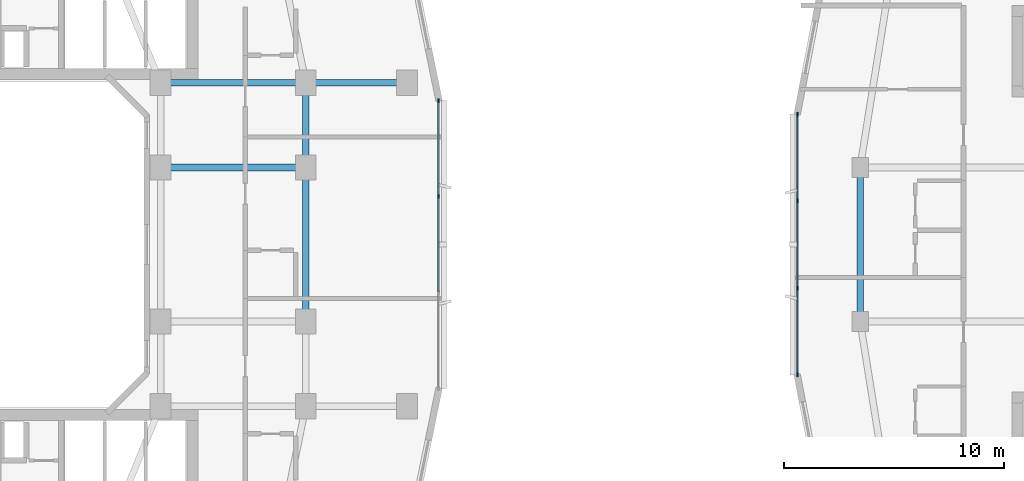
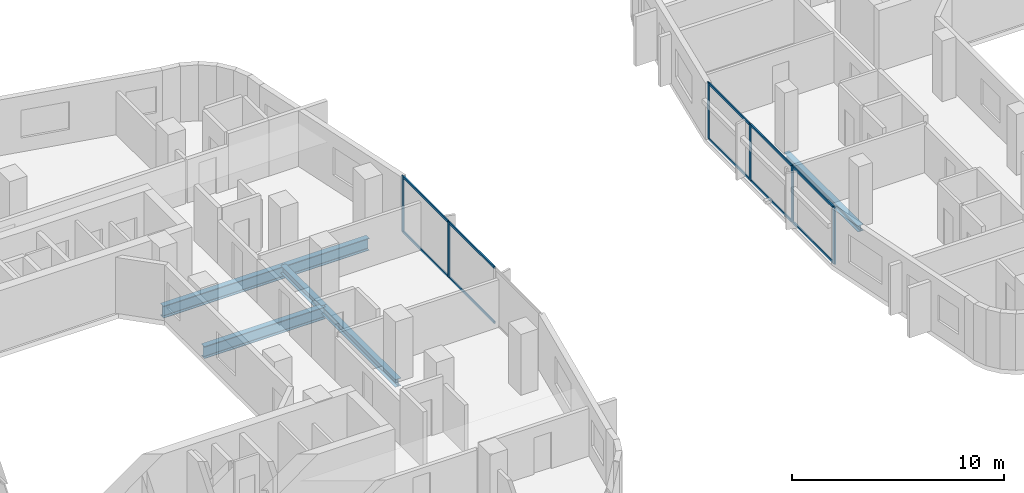
# One storey, part 4 of 22: 16 members, 6 beams, 2 elements without a shape of their own.
"""IFC4 building model written with IfcOpenShell, lengths in metres."""

from ifc_helpers import new_model, si_unit, derived_unit, direction, frame, origin, origin_2d, place, context, subcontext, project, spatial, rectangle, i_section, extrude, material, layer, layer_set, material_profile, profile_set, type_object, element, aggregate, save


model = new_model("IFC4")

# Units and contexts
model_context = context("Model", 3, precision=1e-05, world=origin(), true_north=direction((0.0, 1.0)))
body_context = subcontext(model_context, "Body", "Model", "MODEL_VIEW")
ifc_project = project(units=[si_unit("LENGTHUNIT", "METRE"), si_unit("AREAUNIT", "SQUARE_METRE"), si_unit("VOLUMEUNIT", "CUBIC_METRE"), si_unit("PLANEANGLEUNIT", "RADIAN"), si_unit("MASSUNIT", "GRAM", prefix="KILO"), derived_unit("THERMALTRANSMITTANCEUNIT", [(si_unit("POWERUNIT", "WATT"), 1), (si_unit("LENGTHUNIT", "METRE"), -2), (si_unit("THERMODYNAMICTEMPERATUREUNIT", "KELVIN"), -1)])], contexts=[model_context])

# Site, building, storey
site_placement = place(None, origin())
site = spatial("IfcSite", under=ifc_project, at=site_placement, CompositionType="ELEMENT")
building_placement = place(site_placement, origin())
building = spatial("IfcBuilding", under=site, at=building_placement, Name="Kivonza Crest Hotel", CompositionType="ELEMENT")
storey_placement = place(building_placement, frame((0.0, 0.0, 59.0)))
storey = spatial("IfcBuildingStorey", under=building, at=storey_placement, Name="L15", CompositionType="ELEMENT", Elevation=59.0)

# Beams
ifc_material_1 = material(Name="Steel S355", Category="steel")
ifc_material_profile_1 = material_profile(ifc_material_1, i_section(OverallWidth=0.300048828125, OverallDepth=0.360107421875, WebThickness=0.012451171875, FlangeThickness=0.0224609375, FilletRadius=0.027099609375, at=origin_2d()), Name="HEB 360")
ifc_profile_set_1 = profile_set([ifc_material_profile_1], Name="Steel S355")
beam_type_1 = type_object("IfcBeamType", Name="BM-HEB360", PredefinedType="SPANDREL", material=ifc_profile_set_1)
beam_1_placement = place(storey_placement, frame((61.0, 28.5, -0.429931640625), z_axis=(0.0, -1.0, 0.0), x_axis=(1.0, 0.0, 0.0)))
element("IfcBeam", 1, at=beam_1_placement, inside=storey, type_object=beam_type_1, Name="Companion Tower T2 L15 perimeter spandrel W2-W1", PredefinedType="SPANDREL", context=body_context, shape_type="SweptSolid", body=[
    extrude(i_section(OverallWidth=0.300048828125, OverallDepth=0.360107421875, WebThickness=0.012451171875, FlangeThickness=0.0224609375, FilletRadius=0.027099609375, at=origin_2d()), origin(), (0.0, 0.0, 1.0), 7.0),
])
ifc_material_profile_2 = material_profile(ifc_material_1, i_section(OverallWidth=0.300048828125, OverallDepth=0.449951171875, WebThickness=0.013916015625, FlangeThickness=0.02587890625, FilletRadius=0.027099609375, at=origin_2d()), Name="HEB 450")
ifc_profile_set_2 = profile_set([ifc_material_profile_2], Name="Steel S355")
beam_type_2 = type_object("IfcBeamType", Name="BM-HEB450", PredefinedType="SPANDREL", material=ifc_profile_set_2)
beam_2_placement = place(storey_placement, frame((35.800048828125, 21.5, -0.5048828125), z_axis=(0.0, 1.0, 0.0), x_axis=(-1.0, 0.0, 0.0)))
element("IfcBeam", 2, at=beam_2_placement, inside=storey, type_object=beam_type_2, Name="Tower T1 L15 perimeter spandrel E1-E2", PredefinedType="SPANDREL", context=body_context, shape_type="SweptSolid", body=[
    extrude(i_section(OverallWidth=0.300048828125, OverallDepth=0.449951171875, WebThickness=0.013916015625, FlangeThickness=0.02587890625, FilletRadius=0.027099609375, at=origin_2d()), origin(), (0.0, 0.0, 1.0), 7.0),
])
beam_3_placement = place(storey_placement, frame((35.800048828125, 28.5, -0.5048828125), z_axis=(0.0, 1.0, 0.0), x_axis=(-1.0, 0.0, 0.0)))
element("IfcBeam", 3, at=beam_3_placement, inside=storey, type_object=beam_type_2, Name="Tower T1 L15 perimeter spandrel E2-PNE", PredefinedType="SPANDREL", context=body_context, shape_type="SweptSolid", body=[
    extrude(i_section(OverallWidth=0.300048828125, OverallDepth=0.449951171875, WebThickness=0.013916015625, FlangeThickness=0.02587890625, FilletRadius=0.027099609375, at=origin_2d()), origin(), (0.0, 0.0, 1.0), 3.85009765625),
])
ifc_material_profile_3 = material_profile(ifc_material_1, i_section(OverallWidth=0.300048828125, OverallDepth=0.699951171875, WebThickness=0.01708984375, FlangeThickness=0.031982421875, FilletRadius=0.027099609375, at=origin_2d()), Name="HEB 700")
ifc_profile_set_3 = profile_set([ifc_material_profile_3], Name="Steel S355")
beam_type_3 = type_object("IfcBeamType", Name="BM-HEB700", PredefinedType="BEAM", material=ifc_profile_set_3)
for number, where, z_axis, x_axis, name in (
    (4, (29.199951171875, 32.35009765625, -0.6298828125), (1.0, 0.0, 0.0), (0.0, 1.0, 0.0), "Tower T1 L15 primary girder TNE-PNE"),
    (5, (29.199951171875, 28.5, -0.6298828125), (1.0, 0.0, 0.0), (0.0, 1.0, 0.0), "Tower T1 L15 primary girder WR2-E2"),
):
    element("IfcBeam", number, at=place(storey_placement, frame(where, z_axis=z_axis, x_axis=x_axis)), inside=storey, type_object=beam_type_3, Name=name, PredefinedType="BEAM", context=body_context, shape_type="SweptSolid", body=[
        extrude(i_section(OverallWidth=0.300048828125, OverallDepth=0.699951171875, WebThickness=0.01708984375, FlangeThickness=0.031982421875, FilletRadius=0.027099609375, at=origin_2d()), origin(), (0.0, 0.0, 1.0), 6.60009765625),
    ])
beam_4_placement = place(storey_placement, frame((40.39990234375, 32.35009765625, -0.6298828125), z_axis=(-1.0, 0.0, 0.0), x_axis=(0.0, -1.0, 0.0)))
element("IfcBeam", 6, at=beam_4_placement, inside=storey, type_object=beam_type_3, Name="Tower T1 L15 outer bay girder ZE2", PredefinedType="BEAM", context=body_context, shape_type="SweptSolid", body=[
    extrude(i_section(OverallWidth=0.300048828125, OverallDepth=0.699951171875, WebThickness=0.01708984375, FlangeThickness=0.031982421875, FilletRadius=0.027099609375, at=origin_2d()), origin(), (0.0, 0.0, 1.0), 4.599853515625),
])

# Curtain wall, members
ifc_material_2 = material(Name="Anodised bronze aluminium and low-E double glazing", Category="aluminium")
ifc_layer_1 = layer(ifc_material_2, 0.179931640625)
ifc_layer_set_1 = layer_set([ifc_layer_1], Name="Anodised bronze aluminium and low-E double glazing")
curtain_wall_type_1 = type_object("IfcCurtainWallType", Name="CW-SYS-2", PredefinedType="NOTDEFINED", material=ifc_layer_set_1)
curtain_wall_1_placement = place(storey_placement, origin())
curtain_wall_1 = element("IfcCurtainWall", 7, at=curtain_wall_1_placement, inside=storey, type_object=curtain_wall_type_1, Name="L15 unitised curtain wall CW-T1-L15-17", PredefinedType="NOTDEFINED")
ifc_material_3 = material(Name="Anodised bronze aluminium", Category="aluminium")
ifc_material_profile_4 = material_profile(ifc_material_3, rectangle(XDim=0.06494140625, YDim=0.179931640625, at=origin_2d()), Name="CW-M 65x180")
ifc_profile_set_4 = profile_set([ifc_material_profile_4], Name="Anodised bronze aluminium")
member_type_1 = type_object("IfcMemberType", Name="CW-MUL-65x180", PredefinedType="MULLION", material=ifc_profile_set_4)
member_1_placement = place(storey_placement, frame((41.840087890625, 27.186767578125, 0.0), z_axis=(0.0, 0.0, 1.0), x_axis=(-1.0, 0.0, 0.0)))
member_1 = element("IfcMember", 8, at=member_1_placement, type_object=member_type_1, Name="CW-2 mullion 3", PredefinedType="MULLION", context=body_context, shape_type="SweptSolid", body=[
    extrude(rectangle(XDim=0.06494140625, YDim=0.179931640625, at=origin_2d()), origin(), (0.0, 0.0, 1.0), 3.219970703125),
])
member_2_placement = place(storey_placement, frame((41.840087890625, 31.527587890625, 0.0), z_axis=(0.0, 0.0, 1.0), x_axis=(-1.0, 0.0, 0.0)))
member_2 = element("IfcMember", 9, at=member_2_placement, type_object=member_type_1, Name="CW-2 mullion 4", PredefinedType="MULLION", context=body_context, shape_type="SweptSolid", body=[
    extrude(rectangle(XDim=0.06494140625, YDim=0.179931640625, at=origin_2d()), origin(), (0.0, 0.0, 1.0), 3.219970703125),
])

ifc_layer_2 = layer(ifc_material_2, 0.179931640625)
ifc_layer_set_2 = layer_set([ifc_layer_2], Name="Anodised bronze aluminium and low-E double glazing")
curtain_wall_type_2 = type_object("IfcCurtainWallType", Name="CW-SYS-4", PredefinedType="NOTDEFINED", material=ifc_layer_set_2)
curtain_wall_2_placement = place(storey_placement, origin())
curtain_wall_2 = element("IfcCurtainWall", 10, at=curtain_wall_2_placement, inside=storey, type_object=curtain_wall_type_2, Name="L15 unitised curtain wall CW-T2-L15-35", PredefinedType="NOTDEFINED")
member_3_placement = place(storey_placement, frame((58.159912109375, 30.927490234375, 0.0), z_axis=(0.0, 0.0, 1.0), x_axis=(1.0, 0.0, 0.0)))
member_3 = element("IfcMember", 11, at=member_3_placement, type_object=member_type_1, Name="CW-4 mullion 1", PredefinedType="MULLION", context=body_context, shape_type="SweptSolid", body=[
    extrude(rectangle(XDim=0.06494140625, YDim=0.179931640625, at=origin_2d()), origin(), (0.0, 0.0, 1.0), 3.25),
])
member_4_placement = place(storey_placement, frame((58.159912109375, 26.986572265625, 0.0), z_axis=(0.0, 0.0, 1.0), x_axis=(1.0, 0.0, 0.0)))
member_4 = element("IfcMember", 12, at=member_4_placement, type_object=member_type_1, Name="CW-4 mullion 2", PredefinedType="MULLION", context=body_context, shape_type="SweptSolid", body=[
    extrude(rectangle(XDim=0.06494140625, YDim=0.179931640625, at=origin_2d()), origin(), (0.0, 0.0, 1.0), 3.25),
])
member_5_placement = place(storey_placement, frame((58.159912109375, 23.013427734375, 0.0), z_axis=(0.0, 0.0, 1.0), x_axis=(1.0, 0.0, 0.0)))
member_5 = element("IfcMember", 13, at=member_5_placement, type_object=member_type_1, Name="CW-4 mullion 3", PredefinedType="MULLION", context=body_context, shape_type="SweptSolid", body=[
    extrude(rectangle(XDim=0.06494140625, YDim=0.179931640625, at=origin_2d()), origin(), (0.0, 0.0, 1.0), 3.25),
])
member_6_placement = place(storey_placement, frame((58.159912109375, 19.072509765625, 0.0), z_axis=(0.0, 0.0, 1.0), x_axis=(1.0, 0.0, 0.0)))
member_6 = element("IfcMember", 14, at=member_6_placement, type_object=member_type_1, Name="CW-4 mullion 4", PredefinedType="MULLION", context=body_context, shape_type="SweptSolid", body=[
    extrude(rectangle(XDim=0.06494140625, YDim=0.179931640625, at=origin_2d()), origin(), (0.0, 0.0, 1.0), 3.25),
])

# Member
ifc_material_profile_5 = material_profile(ifc_material_3, rectangle(XDim=0.06494140625, YDim=0.139892578125, at=origin_2d()), Name="CW-T 65x140")
ifc_profile_set_5 = profile_set([ifc_material_profile_5], Name="Anodised bronze aluminium")
member_type_2 = type_object("IfcMemberType", Name="CW-TRN-65x140", PredefinedType="USERDEFINED", material=ifc_profile_set_5)
member_7_placement = place(storey_placement, frame((41.840087890625, 22.845947265625, 0.032470703125), z_axis=(0.0, 1.0, 0.0), x_axis=(-1.0, 0.0, 0.0)))
member_7 = element("IfcMember", 15, at=member_7_placement, type_object=member_type_2, Name="CW-2 transom 2.1", ObjectType="TRANSOM", PredefinedType="USERDEFINED", context=body_context, shape_type="SweptSolid", body=[
    extrude(rectangle(XDim=0.06494140625, YDim=0.139892578125, at=origin_2d()), origin(), (0.0, 0.0, 1.0), 4.30810546875),
])

member_8_placement = place(storey_placement, frame((41.840087890625, 22.845947265625, 3.1875), z_axis=(0.0, 1.0, 0.0), x_axis=(-1.0, 0.0, 0.0)))
member_8 = element("IfcMember", 16, at=member_8_placement, type_object=member_type_2, Name="CW-2 transom 2.2", ObjectType="TRANSOM", PredefinedType="USERDEFINED", context=body_context, shape_type="SweptSolid", body=[
    extrude(rectangle(XDim=0.06494140625, YDim=0.139892578125, at=origin_2d()), origin(), (0.0, 0.0, 1.0), 4.30810546875),
])

member_9_placement = place(storey_placement, frame((41.840087890625, 27.21923828125, 0.032470703125), z_axis=(0.0, 1.0, 0.0), x_axis=(-1.0, 0.0, 0.0)))
member_9 = element("IfcMember", 17, at=member_9_placement, type_object=member_type_2, Name="CW-2 transom 3.1", ObjectType="TRANSOM", PredefinedType="USERDEFINED", context=body_context, shape_type="SweptSolid", body=[
    extrude(rectangle(XDim=0.06494140625, YDim=0.139892578125, at=origin_2d()), origin(), (0.0, 0.0, 1.0), 4.27587890625),
])

member_10_placement = place(storey_placement, frame((41.840087890625, 27.21923828125, 3.1875), z_axis=(0.0, 1.0, 0.0), x_axis=(-1.0, 0.0, 0.0)))
member_10 = element("IfcMember", 18, at=member_10_placement, type_object=member_type_2, Name="CW-2 transom 3.2", ObjectType="TRANSOM", PredefinedType="USERDEFINED", context=body_context, shape_type="SweptSolid", body=[
    extrude(rectangle(XDim=0.06494140625, YDim=0.139892578125, at=origin_2d()), origin(), (0.0, 0.0, 1.0), 4.27587890625),
])

aggregate(curtain_wall_1, [member_1, member_2, member_7, member_8, member_9, member_10])

member_11_placement = place(storey_placement, frame((58.159912109375, 30.89501953125, 0.032470703125), z_axis=(0.0, -1.0, 0.0), x_axis=(1.0, 0.0, 0.0)))
member_11 = element("IfcMember", 19, at=member_11_placement, type_object=member_type_2, Name="CW-4 transom 1.1", ObjectType="TRANSOM", PredefinedType="USERDEFINED", context=body_context, shape_type="SweptSolid", body=[
    extrude(rectangle(XDim=0.06494140625, YDim=0.139892578125, at=origin_2d()), origin(), (0.0, 0.0, 1.0), 3.875732421875),
])

member_12_placement = place(storey_placement, frame((58.159912109375, 30.89501953125, 3.217529296875), z_axis=(0.0, -1.0, 0.0), x_axis=(1.0, 0.0, 0.0)))
member_12 = element("IfcMember", 20, at=member_12_placement, type_object=member_type_2, Name="CW-4 transom 1.2", ObjectType="TRANSOM", PredefinedType="USERDEFINED", context=body_context, shape_type="SweptSolid", body=[
    extrude(rectangle(XDim=0.06494140625, YDim=0.139892578125, at=origin_2d()), origin(), (0.0, 0.0, 1.0), 3.875732421875),
])

member_13_placement = place(storey_placement, frame((58.159912109375, 26.9541015625, 0.032470703125), z_axis=(0.0, -1.0, 0.0), x_axis=(1.0, 0.0, 0.0)))
member_13 = element("IfcMember", 21, at=member_13_placement, type_object=member_type_2, Name="CW-4 transom 2.1", ObjectType="TRANSOM", PredefinedType="USERDEFINED", context=body_context, shape_type="SweptSolid", body=[
    extrude(rectangle(XDim=0.06494140625, YDim=0.139892578125, at=origin_2d()), origin(), (0.0, 0.0, 1.0), 3.908203125),
])

member_14_placement = place(storey_placement, frame((58.159912109375, 26.9541015625, 3.217529296875), z_axis=(0.0, -1.0, 0.0), x_axis=(1.0, 0.0, 0.0)))
member_14 = element("IfcMember", 22, at=member_14_placement, type_object=member_type_2, Name="CW-4 transom 2.2", ObjectType="TRANSOM", PredefinedType="USERDEFINED", context=body_context, shape_type="SweptSolid", body=[
    extrude(rectangle(XDim=0.06494140625, YDim=0.139892578125, at=origin_2d()), origin(), (0.0, 0.0, 1.0), 3.908203125),
])

member_15_placement = place(storey_placement, frame((58.159912109375, 22.980712890625, 0.032470703125), z_axis=(0.0, -1.0, 0.0), x_axis=(1.0, 0.0, 0.0)))
member_15 = element("IfcMember", 23, at=member_15_placement, type_object=member_type_2, Name="CW-4 transom 3.1", ObjectType="TRANSOM", PredefinedType="USERDEFINED", context=body_context, shape_type="SweptSolid", body=[
    extrude(rectangle(XDim=0.06494140625, YDim=0.139892578125, at=origin_2d()), origin(), (0.0, 0.0, 1.0), 3.875732421875),
])

member_16_placement = place(storey_placement, frame((58.159912109375, 22.980712890625, 3.217529296875), z_axis=(0.0, -1.0, 0.0), x_axis=(1.0, 0.0, 0.0)))
member_16 = element("IfcMember", 24, at=member_16_placement, type_object=member_type_2, Name="CW-4 transom 3.2", ObjectType="TRANSOM", PredefinedType="USERDEFINED", context=body_context, shape_type="SweptSolid", body=[
    extrude(rectangle(XDim=0.06494140625, YDim=0.139892578125, at=origin_2d()), origin(), (0.0, 0.0, 1.0), 3.875732421875),
])

aggregate(curtain_wall_2, [member_3, member_4, member_5, member_6, member_11, member_12, member_13, member_14, member_15, member_16])

save(model, "model.ifc")
